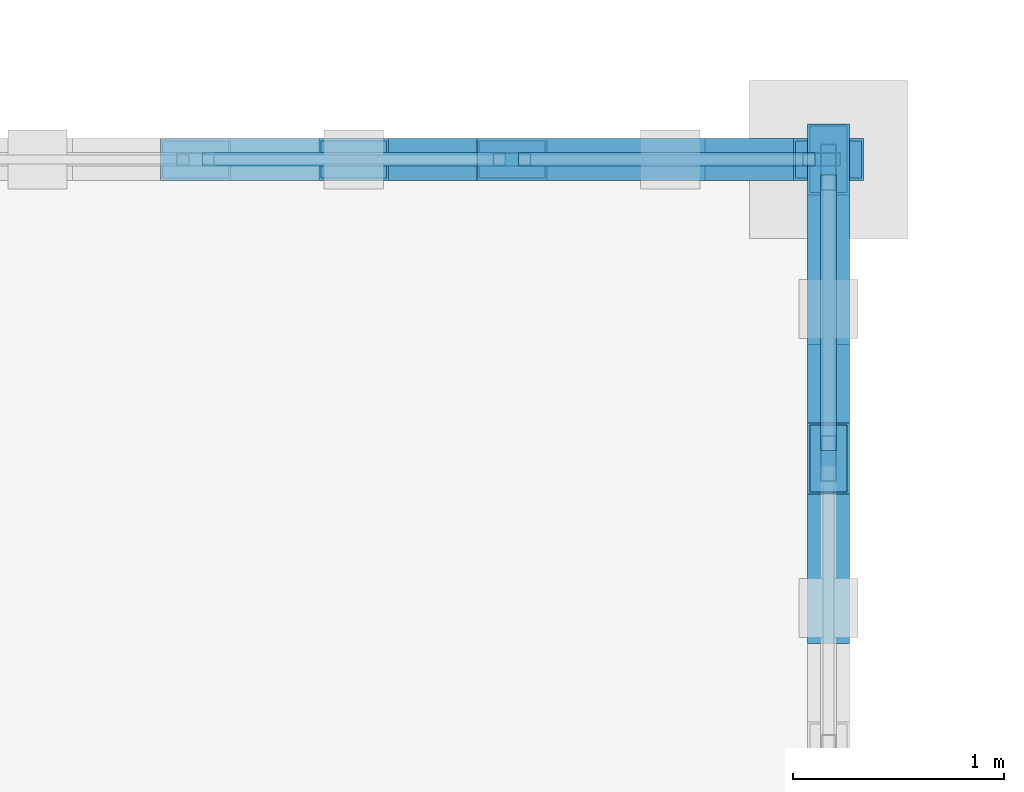
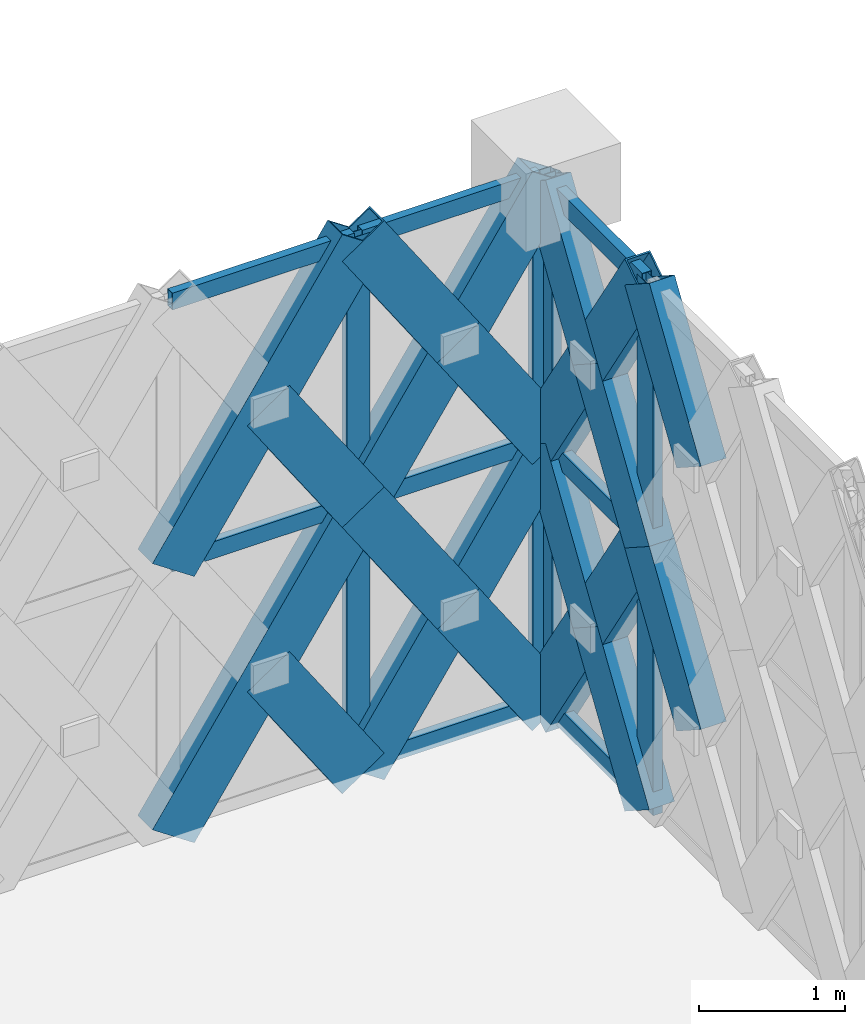
# One storey, part 94 of 155: 30 members, 2 elements without a shape of their own.
"""IFC4 building model written with IfcOpenShell, lengths in metres."""

from ifc_helpers import new_model, si_unit, direction, frame, origin, origin_2d, place, context, subcontext, project, spatial, hollow_rectangle, extrude, material, material_profile, profile_set, type_object, element, aggregate, save


model = new_model("IFC4")

# Units and contexts
model_context = context("Model", 3, precision=1e-05, world=origin(), true_north=direction((0.0, 1.0)))
body_context = subcontext(model_context, "Body", "Model", "MODEL_VIEW")
ifc_project = project(units=[si_unit("LENGTHUNIT", "METRE"), si_unit("AREAUNIT", "SQUARE_METRE"), si_unit("VOLUMEUNIT", "CUBIC_METRE"), si_unit("PLANEANGLEUNIT", "RADIAN"), si_unit("MASSUNIT", "GRAM", prefix="KILO")], contexts=[model_context])

# Site, building, storey
site_placement = place(None, origin())
site = spatial("IfcSite", under=ifc_project, at=site_placement, CompositionType="ELEMENT")
building_placement = place(site_placement, origin())
building = spatial("IfcBuilding", under=site, at=building_placement, Name="Haizhuo Lancet Aquarium", CompositionType="ELEMENT")
storey_placement = place(building_placement, frame((0.0, 0.0, 10.800048828125)))
storey = spatial("IfcBuildingStorey", under=building, at=storey_placement, Name="L02", CompositionType="ELEMENT", Elevation=10.800048828125)

# Curtain wall, members
ifc_material_1 = material(Name="Aluminium 6063-T6", Category="aluminium")
curtain_wall_type_1 = type_object("IfcCurtainWallType", Name="CWD-9000x4440", PredefinedType="NOTDEFINED", material=ifc_material_1)
curtain_wall_1_placement = place(storey_placement, origin())
curtain_wall_1 = element("IfcCurtainWall", 1, at=curtain_wall_1_placement, inside=storey, type_object=curtain_wall_type_1, Name="L02 curtain wall CW-V5-L02-151", PredefinedType="NOTDEFINED")
ifc_material_profile_1 = material_profile(ifc_material_1, hollow_rectangle(XDim=0.06494140625, YDim=0.179931640625, WallThickness=0.00390625, at=origin_2d()), Name="ALU-M 65x180x4")
ifc_profile_set_1 = profile_set([ifc_material_profile_1], Name="Aluminium 6063-T6")
member_type_1 = type_object("IfcMemberType", Name="CW-MUL-1", PredefinedType="MULLION", material=ifc_profile_set_1)
member_1_placement = place(storey_placement, frame((25.5, 54.0, 0.0), z_axis=(0.0, 0.0, 1.0), x_axis=(0.0, 1.0, 0.0)))
member_1 = element("IfcMember", 2, at=member_1_placement, type_object=member_type_1, Name="CWD-90x44 mullion 6", PredefinedType="MULLION", context=body_context, shape_type="SweptSolid", body=[
    extrude(hollow_rectangle(XDim=0.06494140625, YDim=0.179931640625, WallThickness=0.00390625, at=origin_2d()), origin(), (0.0, 0.0, 1.0), 4.445068359375),
])
member_2_placement = place(storey_placement, frame((26.968017578125, 54.0, 0.0), z_axis=(0.0, 0.0, 1.0), x_axis=(0.0, 1.0, 0.0)))
member_2 = element("IfcMember", 3, at=member_2_placement, type_object=member_type_1, Name="CWD-90x44 mullion 7", PredefinedType="MULLION", context=body_context, shape_type="SweptSolid", body=[
    extrude(hollow_rectangle(XDim=0.06494140625, YDim=0.179931640625, WallThickness=0.00390625, at=origin_2d()), origin(), (0.0, 0.0, 1.0), 4.445068359375),
])

curtain_wall_type_2 = type_object("IfcCurtainWallType", Name="CWD-8510x4390", PredefinedType="NOTDEFINED", material=ifc_material_1)
curtain_wall_2_placement = place(storey_placement, origin())
curtain_wall_2 = element("IfcCurtainWall", 4, at=curtain_wall_2_placement, inside=storey, type_object=curtain_wall_type_2, Name="L02 curtain wall CW-V5-L02-152", PredefinedType="NOTDEFINED")
ifc_material_profile_2 = material_profile(ifc_material_1, hollow_rectangle(XDim=0.074951171875, YDim=0.219970703125, WallThickness=0.0048828125, at=origin_2d()), Name="ALU-M 75x220x5")
ifc_profile_set_2 = profile_set([ifc_material_profile_2], Name="Aluminium 6063-T6")
member_type_2 = type_object("IfcMemberType", Name="CW-MUL-2", PredefinedType="MULLION", material=ifc_profile_set_2)
member_3_placement = place(storey_placement, frame((27.0, 53.9619140625, 0.0), z_axis=(0.0, 0.0, 1.0), x_axis=(1.0, 0.0, 0.0)))
member_3 = element("IfcMember", 5, at=member_3_placement, type_object=member_type_2, Name="CWD-85x43 mullion 1", PredefinedType="MULLION", context=body_context, shape_type="SweptSolid", body=[
    extrude(hollow_rectangle(XDim=0.074951171875, YDim=0.219970703125, WallThickness=0.0048828125, at=origin_2d()), origin(), (0.0, 0.0, 1.0), 4.39501953125),
])
member_4_placement = place(storey_placement, frame((27.0, 52.58203125, 0.0), z_axis=(0.0, 0.0, 1.0), x_axis=(1.0, 0.0, 0.0)))
member_4 = element("IfcMember", 6, at=member_4_placement, type_object=member_type_2, Name="CWD-85x43 mullion 2", PredefinedType="MULLION", context=body_context, shape_type="SweptSolid", body=[
    extrude(hollow_rectangle(XDim=0.074951171875, YDim=0.219970703125, WallThickness=0.0048828125, at=origin_2d()), origin(), (0.0, 0.0, 1.0), 4.39501953125),
])

# Member
ifc_material_profile_3 = material_profile(ifc_material_1, hollow_rectangle(XDim=0.06494140625, YDim=0.139892578125, WallThickness=0.00390625, at=origin_2d()), Name="ALU-T 65x140x4")
ifc_profile_set_3 = profile_set([ifc_material_profile_3], Name="Aluminium 6063-T6")
member_type_3 = type_object("IfcMemberType", Name="CW-TRN-1", PredefinedType="NOTDEFINED", material=ifc_profile_set_3)
member_5_placement = place(storey_placement, frame((24.031982421875, 54.0, 2.222900390625), z_axis=(1.0, 0.0, 0.0), x_axis=(0.0, 1.0, 0.0)))
member_5 = element("IfcMember", 7, at=member_5_placement, type_object=member_type_3, Name="CWD-90x44 transom 5.2", ObjectType="TRANSOM", PredefinedType="USERDEFINED", context=body_context, shape_type="SweptSolid", body=[
    extrude(hollow_rectangle(XDim=0.06494140625, YDim=0.139892578125, WallThickness=0.00390625, at=origin_2d()), origin(), (0.0, 0.0, 1.0), 1.43603515625),
])

member_6_placement = place(storey_placement, frame((24.031982421875, 54.0, 4.411865234375), z_axis=(1.0, 0.0, 0.0), x_axis=(0.0, 1.0, 0.0)))
member_6 = element("IfcMember", 8, at=member_6_placement, type_object=member_type_3, Name="CWD-90x44 transom 5.3", ObjectType="TRANSOM", PredefinedType="USERDEFINED", context=body_context, shape_type="SweptSolid", body=[
    extrude(hollow_rectangle(XDim=0.06494140625, YDim=0.139892578125, WallThickness=0.00390625, at=origin_2d()), origin(), (0.0, 0.0, 1.0), 1.43603515625),
])

member_7_placement = place(storey_placement, frame((25.531982421875, 54.0, 0.032958984375), z_axis=(1.0, 0.0, 0.0), x_axis=(0.0, 1.0, 0.0)))
member_7 = element("IfcMember", 9, at=member_7_placement, type_object=member_type_3, Name="CWD-90x44 transom 6.1", ObjectType="TRANSOM", PredefinedType="USERDEFINED", context=body_context, shape_type="SweptSolid", body=[
    extrude(hollow_rectangle(XDim=0.06494140625, YDim=0.139892578125, WallThickness=0.00390625, at=origin_2d()), origin(), (0.0, 0.0, 1.0), 1.403076171875),
])

member_8_placement = place(storey_placement, frame((25.531982421875, 54.0, 2.222900390625), z_axis=(1.0, 0.0, 0.0), x_axis=(0.0, 1.0, 0.0)))
member_8 = element("IfcMember", 10, at=member_8_placement, type_object=member_type_3, Name="CWD-90x44 transom 6.2", ObjectType="TRANSOM", PredefinedType="USERDEFINED", context=body_context, shape_type="SweptSolid", body=[
    extrude(hollow_rectangle(XDim=0.06494140625, YDim=0.139892578125, WallThickness=0.00390625, at=origin_2d()), origin(), (0.0, 0.0, 1.0), 1.403076171875),
])

member_9_placement = place(storey_placement, frame((25.531982421875, 54.0, 4.411865234375), z_axis=(1.0, 0.0, 0.0), x_axis=(0.0, 1.0, 0.0)))
member_9 = element("IfcMember", 11, at=member_9_placement, type_object=member_type_3, Name="CWD-90x44 transom 6.3", ObjectType="TRANSOM", PredefinedType="USERDEFINED", context=body_context, shape_type="SweptSolid", body=[
    extrude(hollow_rectangle(XDim=0.06494140625, YDim=0.139892578125, WallThickness=0.00390625, at=origin_2d()), origin(), (0.0, 0.0, 1.0), 1.403076171875),
])

aggregate(curtain_wall_1, [member_1, member_2, member_5, member_6, member_7, member_8, member_9])

ifc_material_profile_4 = material_profile(ifc_material_1, hollow_rectangle(XDim=0.074951171875, YDim=0.159912109375, WallThickness=0.00390625, at=origin_2d()), Name="ALU-T 75x160x4")
ifc_profile_set_4 = profile_set([ifc_material_profile_4], Name="Aluminium 6063-T6")
member_type_4 = type_object("IfcMemberType", Name="CW-TRN-2", PredefinedType="NOTDEFINED", material=ifc_profile_set_4)
member_10_placement = place(storey_placement, frame((27.0, 53.925048828125, 0.037841796875), z_axis=(0.0, -1.0, 0.0), x_axis=(1.0, 0.0, 0.0)))
member_10 = element("IfcMember", 12, at=member_10_placement, type_object=member_type_4, Name="CWD-85x43 transom 1.1", ObjectType="TRANSOM", PredefinedType="USERDEFINED", context=body_context, shape_type="SweptSolid", body=[
    extrude(hollow_rectangle(XDim=0.074951171875, YDim=0.159912109375, WallThickness=0.00390625, at=origin_2d()), origin(), (0.0, 0.0, 1.0), 1.304931640625),
])

member_11_placement = place(storey_placement, frame((27.0, 53.925048828125, 2.197998046875), z_axis=(0.0, -1.0, 0.0), x_axis=(1.0, 0.0, 0.0)))
member_11 = element("IfcMember", 13, at=member_11_placement, type_object=member_type_4, Name="CWD-85x43 transom 1.2", ObjectType="TRANSOM", PredefinedType="USERDEFINED", context=body_context, shape_type="SweptSolid", body=[
    extrude(hollow_rectangle(XDim=0.074951171875, YDim=0.159912109375, WallThickness=0.00390625, at=origin_2d()), origin(), (0.0, 0.0, 1.0), 1.304931640625),
])

member_12_placement = place(storey_placement, frame((27.0, 53.925048828125, 4.35791015625), z_axis=(0.0, -1.0, 0.0), x_axis=(1.0, 0.0, 0.0)))
member_12 = element("IfcMember", 14, at=member_12_placement, type_object=member_type_4, Name="CWD-85x43 transom 1.3", ObjectType="TRANSOM", PredefinedType="USERDEFINED", context=body_context, shape_type="SweptSolid", body=[
    extrude(hollow_rectangle(XDim=0.074951171875, YDim=0.159912109375, WallThickness=0.00390625, at=origin_2d()), origin(), (0.0, 0.0, 1.0), 1.304931640625),
])

aggregate(curtain_wall_2, [member_3, member_4, member_10, member_11, member_12])

# Members
ifc_material_2 = material(Name="Steel S355", Category="steel")
ifc_material_profile_5 = material_profile(ifc_material_2, hollow_rectangle(XDim=0.199951171875, YDim=0.39990234375, WallThickness=0.011962890625, at=origin_2d()), Name="RHS 200x400x12")
ifc_profile_set_5 = profile_set([ifc_material_profile_5], Name="Steel S355")
member_type_5 = type_object("IfcMemberType", Name="MEM-LB-RHS200x400", PredefinedType="BRACE", material=ifc_profile_set_5)
member_13_placement = place(storey_placement, frame((24.0, 54.0, 0.0), z_axis=(0.559355578967, 0.0, 0.828927823323), x_axis=(0.0, 1.0, 0.0)))
element("IfcMember", 15, at=member_13_placement, inside=storey, type_object=member_type_5, Name="Gothic lancet continuous diagonal brace CW-V5-L02-151 9A", PredefinedType="BRACE", context=body_context, shape_type="SweptSolid", body=[
    extrude(hollow_rectangle(XDim=0.199951171875, YDim=0.39990234375, WallThickness=0.011962890625, at=origin_2d()), origin(), (0.0, 0.0, 1.0), 2.681640625),
])
member_14_placement = place(storey_placement, frame((25.5, 54.0, 0.0), z_axis=(-0.559144577779, 0.0, 0.829070166596), x_axis=(0.0, -1.0, 0.0)))
element("IfcMember", 16, at=member_14_placement, inside=storey, type_object=member_type_5, Name="Gothic lancet split diagonal brace CW-V5-L02-151 9B1", PredefinedType="BRACE", context=body_context, shape_type="SweptSolid", body=[
    extrude(hollow_rectangle(XDim=0.199951171875, YDim=0.39990234375, WallThickness=0.011962890625, at=origin_2d()), origin(), (0.0, 0.0, 1.0), 1.34130859375),
])
member_15_placement = place(storey_placement, frame((24.0, 54.0, 2.222900390625), z_axis=(0.559482238724, 0.0, 0.828842339985), x_axis=(0.0, 1.0, 0.0)))
element("IfcMember", 17, at=member_15_placement, inside=storey, type_object=member_type_5, Name="Gothic lancet continuous diagonal brace CW-V5-L02-151 10A", PredefinedType="BRACE", context=body_context, shape_type="SweptSolid", body=[
    extrude(hollow_rectangle(XDim=0.199951171875, YDim=0.39990234375, WallThickness=0.011962890625, at=origin_2d()), origin(), (0.0, 0.0, 1.0), 2.68115234375),
])
member_16_placement = place(storey_placement, frame((25.5, 54.0, 2.222900390625), z_axis=(-0.559482238724, 0.0, 0.828842339985), x_axis=(0.0, -1.0, 0.0)))
element("IfcMember", 18, at=member_16_placement, inside=storey, type_object=member_type_5, Name="Gothic lancet split diagonal brace CW-V5-L02-151 10B1", PredefinedType="BRACE", context=body_context, shape_type="SweptSolid", body=[
    extrude(hollow_rectangle(XDim=0.199951171875, YDim=0.39990234375, WallThickness=0.011962890625, at=origin_2d()), origin(), (0.0, 0.0, 1.0), 1.340576171875),
])
member_17_placement = place(storey_placement, frame((25.5, 54.0, 0.0), z_axis=(0.559355578967, 0.0, 0.828927823323), x_axis=(0.0, 1.0, 0.0)))
element("IfcMember", 19, at=member_17_placement, inside=storey, type_object=member_type_5, Name="Gothic lancet continuous diagonal brace CW-V5-L02-151 11A", PredefinedType="BRACE", context=body_context, shape_type="SweptSolid", body=[
    extrude(hollow_rectangle(XDim=0.199951171875, YDim=0.39990234375, WallThickness=0.011962890625, at=origin_2d()), origin(), (0.0, 0.0, 1.0), 2.681640625),
])
member_18_placement = place(storey_placement, frame((27.0, 54.0, 0.0), z_axis=(-0.559144577779, 0.0, 0.829070166596), x_axis=(0.0, -1.0, 0.0)))
element("IfcMember", 20, at=member_18_placement, inside=storey, type_object=member_type_5, Name="Gothic lancet split diagonal brace CW-V5-L02-151 11B1", PredefinedType="BRACE", context=body_context, shape_type="SweptSolid", body=[
    extrude(hollow_rectangle(XDim=0.199951171875, YDim=0.39990234375, WallThickness=0.011962890625, at=origin_2d()), origin(), (0.0, 0.0, 1.0), 1.34130859375),
])
member_19_placement = place(storey_placement, frame((26.25, 54.0, 1.112060546875), z_axis=(-0.559566703172, 0.0, 0.828785318826), x_axis=(0.0, -1.0, 0.0)))
element("IfcMember", 21, at=member_19_placement, inside=storey, type_object=member_type_5, Name="Gothic lancet split diagonal brace CW-V5-L02-151 11B2", PredefinedType="BRACE", context=body_context, shape_type="SweptSolid", body=[
    extrude(hollow_rectangle(XDim=0.199951171875, YDim=0.39990234375, WallThickness=0.011962890625, at=origin_2d()), origin(), (0.0, 0.0, 1.0), 1.34033203125),
])
member_20_placement = place(storey_placement, frame((25.5, 54.0, 2.222900390625), z_axis=(0.559482238724, 0.0, 0.828842339985), x_axis=(0.0, 1.0, 0.0)))
element("IfcMember", 22, at=member_20_placement, inside=storey, type_object=member_type_5, Name="Gothic lancet continuous diagonal brace CW-V5-L02-151 12A", PredefinedType="BRACE", context=body_context, shape_type="SweptSolid", body=[
    extrude(hollow_rectangle(XDim=0.199951171875, YDim=0.39990234375, WallThickness=0.011962890625, at=origin_2d()), origin(), (0.0, 0.0, 1.0), 2.68115234375),
])
for number, where, z_axis, x_axis, name in (
    (23, (27.0, 54.0, 2.222900390625), (-0.559482238724, 0.0, 0.828842339985), (0.0, -1.0, 0.0), "Gothic lancet split diagonal brace CW-V5-L02-151 12B1"),
    (24, (26.25, 54.0, 3.333984375), (-0.559482238724, 0.0, 0.828842339985), (0.0, -1.0, 0.0), "Gothic lancet split diagonal brace CW-V5-L02-151 12B2"),
):
    element("IfcMember", number, at=place(storey_placement, frame(where, z_axis=z_axis, x_axis=x_axis)), inside=storey, type_object=member_type_5, Name=name, PredefinedType="BRACE", context=body_context, shape_type="SweptSolid", body=[
        extrude(hollow_rectangle(XDim=0.199951171875, YDim=0.39990234375, WallThickness=0.011962890625, at=origin_2d()), origin(), (0.0, 0.0, 1.0), 1.340576171875),
    ])
member_21_placement = place(storey_placement, frame((27.0, 54.0, 0.0), z_axis=(0.0, -0.542101357913, 0.840313106972), x_axis=(1.0, 0.0, 0.0)))
element("IfcMember", 25, at=member_21_placement, inside=storey, type_object=member_type_5, Name="Gothic lancet continuous diagonal brace CW-V5-L02-152 1A", PredefinedType="BRACE", context=body_context, shape_type="SweptSolid", body=[
    extrude(hollow_rectangle(XDim=0.199951171875, YDim=0.39990234375, WallThickness=0.011962890625, at=origin_2d()), origin(), (0.0, 0.0, 1.0), 2.61572265625),
])
for number, where, z_axis, x_axis, name in (
    (26, (27.0, 52.58203125, 0.0), (0.0, 0.542143878818, 0.840285674435), (-1.0, 0.0, 0.0), "Gothic lancet split diagonal brace CW-V5-L02-152 1B1"),
    (27, (27.0, 53.291015625, 1.098876953125), (0.0, 0.54205884229, 0.840340533055), (-1.0, 0.0, 0.0), "Gothic lancet split diagonal brace CW-V5-L02-152 1B2"),
):
    element("IfcMember", number, at=place(storey_placement, frame(where, z_axis=z_axis, x_axis=x_axis)), inside=storey, type_object=member_type_5, Name=name, PredefinedType="BRACE", context=body_context, shape_type="SweptSolid", body=[
        extrude(hollow_rectangle(XDim=0.199951171875, YDim=0.39990234375, WallThickness=0.011962890625, at=origin_2d()), origin(), (0.0, 0.0, 1.0), 1.307861328125),
    ])
member_22_placement = place(storey_placement, frame((27.0, 54.0, 2.197998046875), z_axis=(0.0, -0.542271473228, 0.840203338082), x_axis=(1.0, 0.0, 0.0)))
element("IfcMember", 28, at=member_22_placement, inside=storey, type_object=member_type_5, Name="Gothic lancet continuous diagonal brace CW-V5-L02-152 2A", PredefinedType="BRACE", context=body_context, shape_type="SweptSolid", body=[
    extrude(hollow_rectangle(XDim=0.199951171875, YDim=0.39990234375, WallThickness=0.011962890625, at=origin_2d()), origin(), (0.0, 0.0, 1.0), 2.614990234375),
])
member_23_placement = place(storey_placement, frame((27.0, 52.58203125, 2.197998046875), z_axis=(0.0, 0.542484236268, 0.840065981576), x_axis=(-1.0, 0.0, 0.0)))
element("IfcMember", 29, at=member_23_placement, inside=storey, type_object=member_type_5, Name="Gothic lancet split diagonal brace CW-V5-L02-152 2B1", PredefinedType="BRACE", context=body_context, shape_type="SweptSolid", body=[
    extrude(hollow_rectangle(XDim=0.199951171875, YDim=0.39990234375, WallThickness=0.011962890625, at=origin_2d()), origin(), (0.0, 0.0, 1.0), 1.306884765625),
])
for number, where, z_axis, x_axis, name in (
    (30, (27.0, 53.291015625, 3.2958984375), (0.0, 0.54205884229, 0.840340533055), (-1.0, 0.0, 0.0), "Gothic lancet split diagonal brace CW-V5-L02-152 2B2"),
    (31, (27.0, 51.873046875, 1.098876953125), (0.0, 0.54205884229, 0.840340533055), (-1.0, 0.0, 0.0), "Gothic lancet split diagonal brace CW-V5-L02-152 3B2"),
    (32, (27.0, 51.873046875, 3.2958984375), (0.0, 0.54205884229, 0.840340533055), (-1.0, 0.0, 0.0), "Gothic lancet split diagonal brace CW-V5-L02-152 4B2"),
):
    element("IfcMember", number, at=place(storey_placement, frame(where, z_axis=z_axis, x_axis=x_axis)), inside=storey, type_object=member_type_5, Name=name, PredefinedType="BRACE", context=body_context, shape_type="SweptSolid", body=[
        extrude(hollow_rectangle(XDim=0.199951171875, YDim=0.39990234375, WallThickness=0.011962890625, at=origin_2d()), origin(), (0.0, 0.0, 1.0), 1.307861328125),
    ])

save(model, "model.ifc")
